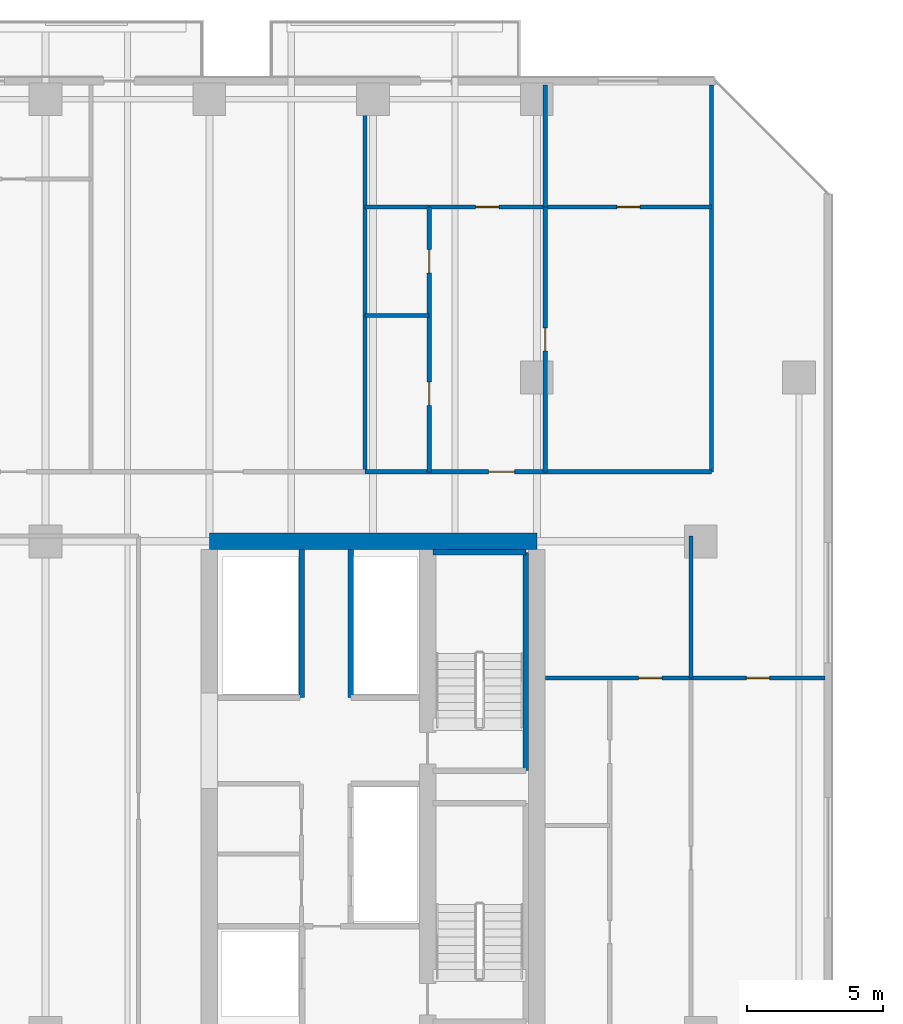
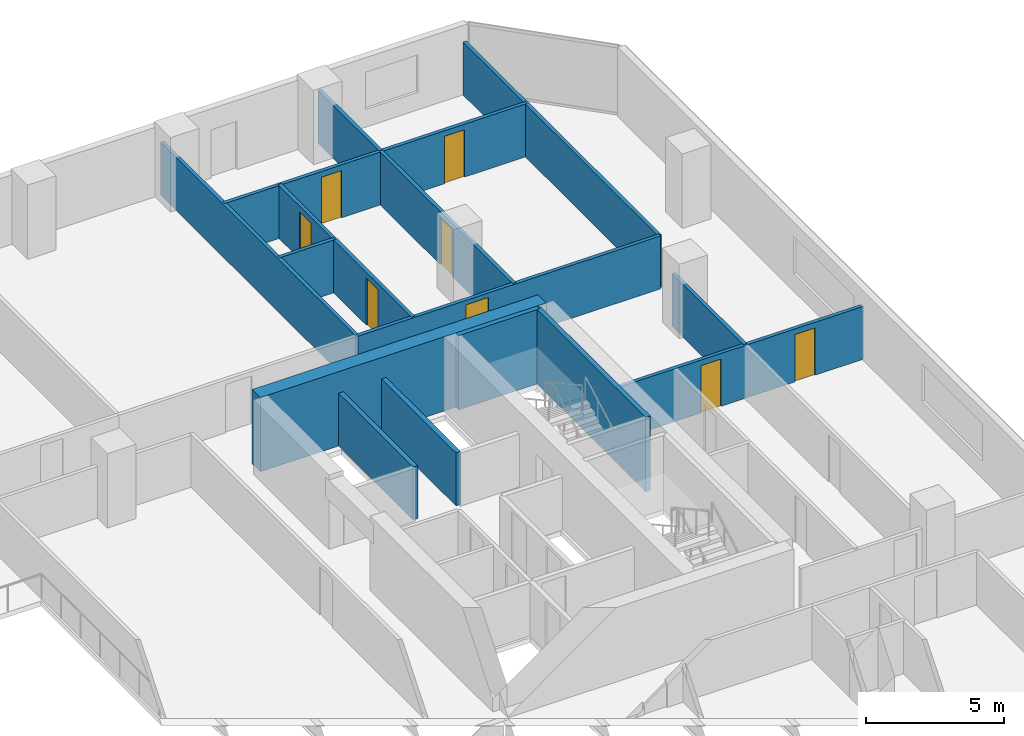
# One storey, part 23 of 33: 15 walls, 8 doors, 8 openings.
"""IFC4 building model written with IfcOpenShell, lengths in metres."""

from ifc_helpers import new_model, si_unit, direction, frame, frame_2d, origin, place, context, subcontext, project, spatial, rectangle, extrude, material, layer, layer_set, type_object, element, fill, save


model = new_model("IFC4")

# Units and contexts
model_context = context("Model", 3, precision=1e-05, world=origin(), true_north=direction((0.0, 1.0)))
body_context = subcontext(model_context, "Body", "Model", "MODEL_VIEW")
ifc_project = project(units=[si_unit("LENGTHUNIT", "METRE"), si_unit("AREAUNIT", "SQUARE_METRE"), si_unit("VOLUMEUNIT", "CUBIC_METRE"), si_unit("PLANEANGLEUNIT", "RADIAN"), si_unit("MASSUNIT", "GRAM", prefix="KILO")], contexts=[model_context])

# Site, building, storey
site_placement = place(None, origin())
site = spatial("IfcSite", under=ifc_project, at=site_placement, CompositionType="ELEMENT")
building_placement = place(site_placement, origin())
building = spatial("IfcBuilding", under=site, at=building_placement, Name="Tanjung Sevakor Pilgrim Tower", CompositionType="ELEMENT")
storey_placement = place(building_placement, frame((0.0, 0.0, 38.93994140625)))
storey = spatial("IfcBuildingStorey", under=building, at=storey_placement, Name="L10", CompositionType="ELEMENT", Elevation=38.93994140625)

# Walls
ifc_material_1 = material(Name="Concrete C60/75", Category="concrete")
ifc_layer_1 = layer(ifc_material_1, 0.60009765625)
ifc_layer_set_1 = layer_set([ifc_layer_1], Name="WALL-CW-600")
wall_type_1 = type_object("IfcWallType", Name="WALL-CW-600", PredefinedType="SHEAR", material=ifc_layer_set_1)
wall_1_placement = place(storey_placement, frame((90.0, 42.60009765625, 0.0), z_axis=(0.0, 0.0, 1.0), x_axis=(-1.0, 0.0, 0.0)))
element("IfcWall", 1, at=wall_1_placement, inside=storey, type_object=wall_type_1, Name="L10 E Core North Shear Wall", PredefinedType="SHEAR", context=body_context, shape_type="SweptSolid", body=[
    extrude(rectangle(XDim=12.0, YDim=0.60009765625, at=frame_2d((6.0, 0.0))), origin(), (0.0, 0.0, 1.0), 3.300048828125),
])
ifc_material_2 = material(Name="Concrete C40/50", Category="concrete")
ifc_layer_2 = layer(ifc_material_2, 0.14990234375)
ifc_layer_set_2 = layer_set([ifc_layer_2], Name="WT-COMP-150")
wall_type_2 = type_object("IfcWallType", Name="WT-COMP-150", PredefinedType="SOLIDWALL", material=ifc_layer_set_2)
for number, where, z_axis, x_axis, name in (
    (2, (96.39990234375, 45.14990234375, 0.0), (0.0, 0.0, 1.0), (0.0, 1.0, 0.0), "L10 Partition IW-L10-091"),
    (3, (83.706298828125, 45.14990234375, 0.0), (0.0, 0.0, 1.0), (0.0, 1.0, 0.0), "L10 Partition IW-L10-104"),
):
    element("IfcWall", number, at=place(storey_placement, frame(where, z_axis=z_axis, x_axis=x_axis)), inside=storey, type_object=wall_type_2, Name=name, PredefinedType="SOLIDWALL", context=body_context, shape_type="SweptSolid", body=[
        extrude(rectangle(XDim=14.170166015625, YDim=0.14990234375, at=frame_2d((7.0849609375, 0.0))), origin(), (0.0, 0.0, 1.0), 2.35009765625),
    ])

# Wall, opening, door
wall_2_placement = place(storey_placement, frame((83.706298828125, 45.14990234375, 0.0), z_axis=(0.0, 0.0, 1.0), x_axis=(1.0, 0.0, 0.0)))
wall_2 = element("IfcWall", 4, at=wall_2_placement, inside=storey, type_object=wall_type_2, Name="L10 Partition IW-L10-111", PredefinedType="SOLIDWALL", context=body_context, shape_type="SweptSolid", body=[
    extrude(rectangle(XDim=12.693603515625, YDim=0.14990234375, at=frame_2d((6.3466796875, 0.0))), origin(), (0.0, 0.0, 1.0), 2.35009765625),
])
opening_1_placement = place(wall_2_placement, frame((4.52587890625, 0.0, 0.0)))
opening_1 = element("IfcOpeningElement", 5, at=opening_1_placement, cuts=wall_2, Name="Opening ID-FD2", PredefinedType="OPENING", context=body_context, shape_type="SweptSolid", body=[
    extrude(rectangle(XDim=0.949951171875, YDim=2.14990234375, at=frame_2d((0.47509765625, 1.074951171875))), frame((0.0, 0.0849609375, 0.0), z_axis=(0.0, -1.0, 0.0), x_axis=(1.0, 0.0, 0.0)), (0.0, 0.0, 1.0), 0.169921875),
])
ifc_material_3 = material(Name="Fire-Rated Timber", Category="wood")
door_type_1 = type_object("IfcDoorType", Name="DT-FIRE-950", OperationType="NOTDEFINED", PredefinedType="DOOR", material=ifc_material_3)
door_1_placement = place(opening_1_placement, origin())
door_1 = element("IfcDoor", 6, at=door_1_placement, inside=storey, type_object=door_type_1, Name="Suite Entrance", OperationType="SINGLE_SWING_LEFT", OverallHeight=2.14990234375, OverallWidth=0.949951171875, PredefinedType="DOOR", context=body_context, shape_type="SweptSolid", body=[
    extrude(rectangle(XDim=0.949951171875, YDim=2.14990234375, at=frame_2d((0.47509765625, 1.074951171875))), frame((0.0, 0.02490234375, 0.0), z_axis=(0.0, -1.0, 0.0), x_axis=(1.0, 0.0, 0.0)), (0.0, 0.0, 1.0), 0.050048828125),
])
fill(opening_1, door_1)

# Walls
ifc_material_4 = material(Name="Concrete C40/50", Category="concrete")
ifc_layer_3 = layer(ifc_material_4, 0.199951171875)
ifc_layer_set_3 = layer_set([ifc_layer_3], Name="WT-FIRE-200")
wall_type_3 = type_object("IfcWallType", Name="WT-FIRE-200", PredefinedType="SOLIDWALL", material=ifc_layer_set_3)
wall_3_placement = place(storey_placement, frame((89.60009765625, 34.199951171875, 0.0), z_axis=(0.0, 0.0, 1.0), x_axis=(0.0, 1.0, 0.0)))
element("IfcWall", 7, at=wall_3_placement, inside=storey, type_object=wall_type_3, Name="L10 TS-E2 Shaft Wall 2", PredefinedType="SOLIDWALL", context=body_context, shape_type="SweptSolid", body=[
    extrude(rectangle(XDim=8.0, YDim=0.199951171875, at=frame_2d((4.0, 0.0))), origin(), (0.0, 0.0, 1.0), 3.300048828125),
])
wall_4_placement = place(storey_placement, frame((89.60009765625, 42.199951171875, 0.0), z_axis=(0.0, 0.0, 1.0), x_axis=(-1.0, 0.0, 0.0)))
element("IfcWall", 8, at=wall_4_placement, inside=storey, type_object=wall_type_3, Name="L10 TS-E2 Shaft Wall 3", PredefinedType="SOLIDWALL", context=body_context, shape_type="SweptSolid", body=[
    extrude(rectangle(XDim=3.400146484375, YDim=0.199951171875, at=frame_2d((1.7001953125, 0.0))), origin(), (0.0, 0.0, 1.0), 3.300048828125),
])
ifc_material_5 = material(Name="Concrete C40/50", Category="concrete")
ifc_layer_4 = layer(ifc_material_5, 0.199951171875)
ifc_layer_set_4 = layer_set([ifc_layer_4], Name="WT-FPRT-200")
wall_type_4 = type_object("IfcWallType", Name="WT-FPRT-200", PredefinedType="SOLIDWALL", material=ifc_layer_set_4)
for number, where, z_axis, x_axis, name in (
    (9, (83.179931640625, 36.8798828125, 0.0), (0.0, 0.0, 1.0), (0.0, 1.0, 0.0), "L10 Partition IW-L10-020"),
    (10, (81.3798828125, 36.8798828125, 0.0), (0.0, 0.0, 1.0), (0.0, 1.0, 0.0), "L10 Partition IW-L10-022"),
):
    element("IfcWall", number, at=place(storey_placement, frame(where, z_axis=z_axis, x_axis=x_axis)), inside=storey, type_object=wall_type_4, Name=name, PredefinedType="SOLIDWALL", context=body_context, shape_type="SweptSolid", body=[
        extrude(rectangle(XDim=5.420166015625, YDim=0.199951171875, at=frame_2d((2.7099609375, 0.0))), origin(), (0.0, 0.0, 1.0), 2.35009765625),
    ])
ifc_material_6 = material(Name="Gypsum Board Partition", Category="gypsum board")
ifc_layer_5 = layer(ifc_material_6, 0.14990234375)
ifc_layer_set_5 = layer_set([ifc_layer_5], Name="WT-PART-150")
wall_type_5 = type_object("IfcWallType", Name="WT-PART-150", PredefinedType="PARTITIONING", material=ifc_layer_set_5)
wall_5_placement = place(storey_placement, frame((95.644775390625, 37.60009765625, 0.0), z_axis=(0.0, 0.0, 1.0), x_axis=(0.0, 1.0, 0.0)))
element("IfcWall", 11, at=wall_5_placement, inside=storey, type_object=wall_type_5, Name="L10 Partition IW-L10-035", PredefinedType="PARTITIONING", context=body_context, shape_type="SweptSolid", body=[
    extrude(rectangle(XDim=5.199951171875, YDim=0.14990234375, at=frame_2d((2.60009765625, 0.0))), origin(), (0.0, 0.0, 1.0), 2.35009765625),
])

# Wall, openings, doors
wall_6_placement = place(storey_placement, frame((90.320068359375, 37.60009765625, 0.0), z_axis=(0.0, 0.0, 1.0), x_axis=(1.0, 0.0, 0.0)))
wall_6 = element("IfcWall", 12, at=wall_6_placement, inside=storey, type_object=wall_type_5, Name="L10 Partition IW-L10-036", PredefinedType="PARTITIONING", context=body_context, shape_type="SweptSolid", body=[
    extrude(rectangle(XDim=10.239990234375, YDim=0.14990234375, at=frame_2d((5.1201171875, 0.0))), origin(), (0.0, 0.0, 1.0), 2.35009765625),
])
opening_2_placement = place(wall_6_placement, frame((3.412353515625, 0.0, 0.0)))
opening_2 = element("IfcOpeningElement", 13, at=opening_2_placement, cuts=wall_6, Name="Opening ID-WC1", PredefinedType="OPENING", context=body_context, shape_type="SweptSolid", body=[
    extrude(rectangle(XDim=0.85009765625, YDim=2.10009765625, at=frame_2d((0.425048828125, 1.050048828125))), frame((0.0, 0.0849609375, 0.0), z_axis=(0.0, -1.0, 0.0), x_axis=(1.0, 0.0, 0.0)), (0.0, 0.0, 1.0), 0.169921875),
])
opening_3_placement = place(wall_6_placement, frame((7.357421875, 0.0, 0.0)))
opening_3 = element("IfcOpeningElement", 14, at=opening_3_placement, cuts=wall_6, Name="Opening ID-WC1", PredefinedType="OPENING", context=body_context, shape_type="SweptSolid", body=[
    extrude(rectangle(XDim=0.85009765625, YDim=2.10009765625, at=frame_2d((0.425048828125, 1.050048828125))), frame((0.0, 0.0849609375, 0.0), z_axis=(0.0, -1.0, 0.0), x_axis=(1.0, 0.0, 0.0)), (0.0, 0.0, 1.0), 0.169921875),
])
ifc_material_7 = material(Name="Moisture-Resistant Timber", Category="wood")
door_type_2 = type_object("IfcDoorType", Name="DT-INT-850", OperationType="NOTDEFINED", PredefinedType="DOOR", material=ifc_material_7)
door_2_placement = place(opening_2_placement, origin())
door_2 = element("IfcDoor", 15, at=door_2_placement, inside=storey, type_object=door_type_2, Name="Suite Bedroom 1 Door", OperationType="SINGLE_SWING_LEFT", OverallHeight=2.10009765625, OverallWidth=0.85009765625, PredefinedType="DOOR", context=body_context, shape_type="SweptSolid", body=[
    extrude(rectangle(XDim=0.85009765625, YDim=2.10009765625, at=frame_2d((0.425048828125, 1.050048828125))), frame((0.0, 0.02490234375, 0.0), z_axis=(0.0, -1.0, 0.0), x_axis=(1.0, 0.0, 0.0)), (0.0, 0.0, 1.0), 0.050048828125),
])
fill(opening_2, door_2)
door_3_placement = place(opening_3_placement, origin())
door_3 = element("IfcDoor", 16, at=door_3_placement, inside=storey, type_object=door_type_2, Name="Suite Bedroom 2 Door", OperationType="SINGLE_SWING_RIGHT", OverallHeight=2.10009765625, OverallWidth=0.85009765625, PredefinedType="DOOR", context=body_context, shape_type="SweptSolid", body=[
    extrude(rectangle(XDim=0.85009765625, YDim=2.10009765625, at=frame_2d((0.425048828125, 1.050048828125))), frame((0.0, 0.02490234375, 0.0), z_axis=(0.0, -1.0, 0.0), x_axis=(1.0, 0.0, 0.0)), (0.0, 0.0, 1.0), 0.050048828125),
])
fill(opening_3, door_3)

# Wall, opening, door
wall_7_placement = place(storey_placement, frame((90.30712890625, 45.14990234375, 0.0), z_axis=(0.0, 0.0, 1.0), x_axis=(0.0, 1.0, 0.0)))
wall_7 = element("IfcWall", 17, at=wall_7_placement, inside=storey, type_object=wall_type_5, Name="L10 Partition IW-L10-106", PredefinedType="PARTITIONING", context=body_context, shape_type="SweptSolid", body=[
    extrude(rectangle(XDim=9.700927734375, YDim=0.14990234375, at=frame_2d((4.8505859375, 0.0))), origin(), (0.0, 0.0, 1.0), 2.35009765625),
])
opening_4_placement = place(wall_7_placement, frame((4.42529296875, 0.0, 0.0)))
opening_4 = element("IfcOpeningElement", 18, at=opening_4_placement, cuts=wall_7, Name="Opening ID-WC1", PredefinedType="OPENING", context=body_context, shape_type="SweptSolid", body=[
    extrude(rectangle(XDim=0.85009765625, YDim=2.10009765625, at=frame_2d((0.425048828125, 1.050048828125))), frame((0.0, 0.0849609375, 0.0), z_axis=(0.0, -1.0, 0.0), x_axis=(1.0, 0.0, 0.0)), (0.0, 0.0, 1.0), 0.169921875),
])
door_4_placement = place(opening_4_placement, origin())
door_4 = element("IfcDoor", 19, at=door_4_placement, inside=storey, type_object=door_type_2, Name="Suite Study Room Door", OperationType="SINGLE_SWING_RIGHT", OverallHeight=2.10009765625, OverallWidth=0.85009765625, PredefinedType="DOOR", context=body_context, shape_type="SweptSolid", body=[
    extrude(rectangle(XDim=0.85009765625, YDim=2.10009765625, at=frame_2d((0.425048828125, 1.050048828125))), frame((0.0, 0.02490234375, 0.0), z_axis=(0.0, -1.0, 0.0), x_axis=(1.0, 0.0, 0.0)), (0.0, 0.0, 1.0), 0.050048828125),
])
fill(opening_4, door_4)

# Wall
wall_8_placement = place(storey_placement, frame((83.706298828125, 50.87353515625, 0.0), z_axis=(0.0, 0.0, 1.0), x_axis=(1.0, 0.0, 0.0)))
element("IfcWall", 20, at=wall_8_placement, inside=storey, type_object=wall_type_5, Name="L10 Partition IW-L10-107", PredefinedType="PARTITIONING", context=body_context, shape_type="SweptSolid", body=[
    extrude(rectangle(XDim=2.35009765625, YDim=0.14990234375, at=frame_2d((1.175048828125, 0.0))), origin(), (0.0, 0.0, 1.0), 2.35009765625),
])

# Wall, openings, doors
wall_9_placement = place(storey_placement, frame((86.056396484375, 45.14990234375, 0.0), z_axis=(0.0, 0.0, 1.0), x_axis=(0.0, 1.0, 0.0)))
wall_9 = element("IfcWall", 21, at=wall_9_placement, inside=storey, type_object=wall_type_5, Name="L10 Partition IW-L10-108", PredefinedType="PARTITIONING", context=body_context, shape_type="SweptSolid", body=[
    extrude(rectangle(XDim=9.700927734375, YDim=0.14990234375, at=frame_2d((4.8505859375, 0.0))), origin(), (0.0, 0.0, 1.0), 2.35009765625),
])
opening_5_placement = place(wall_9_placement, frame((2.436767578125, 0.0, 0.0)))
opening_5 = element("IfcOpeningElement", 22, at=opening_5_placement, cuts=wall_9, Name="Opening ID-WC1", PredefinedType="OPENING", context=body_context, shape_type="SweptSolid", body=[
    extrude(rectangle(XDim=0.85009765625, YDim=2.10009765625, at=frame_2d((0.425048828125, 1.050048828125))), frame((0.0, 0.0849609375, 0.0), z_axis=(0.0, -1.0, 0.0), x_axis=(1.0, 0.0, 0.0)), (0.0, 0.0, 1.0), 0.169921875),
])
opening_6_placement = place(wall_9_placement, frame((7.287109375, 0.0, 0.0)))
opening_6 = element("IfcOpeningElement", 23, at=opening_6_placement, cuts=wall_9, Name="Opening ID-WC1", PredefinedType="OPENING", context=body_context, shape_type="SweptSolid", body=[
    extrude(rectangle(XDim=0.85009765625, YDim=2.10009765625, at=frame_2d((0.425048828125, 1.050048828125))), frame((0.0, 0.0849609375, 0.0), z_axis=(0.0, -1.0, 0.0), x_axis=(1.0, 0.0, 0.0)), (0.0, 0.0, 1.0), 0.169921875),
])
door_5_placement = place(opening_5_placement, origin())
door_5 = element("IfcDoor", 24, at=door_5_placement, inside=storey, type_object=door_type_2, Name="Suite Kitchenette Door", OperationType="SINGLE_SWING_LEFT", OverallHeight=2.10009765625, OverallWidth=0.85009765625, PredefinedType="DOOR", context=body_context, shape_type="SweptSolid", body=[
    extrude(rectangle(XDim=0.85009765625, YDim=2.10009765625, at=frame_2d((0.425048828125, 1.050048828125))), frame((0.0, 0.02490234375, 0.0), z_axis=(0.0, -1.0, 0.0), x_axis=(1.0, 0.0, 0.0)), (0.0, 0.0, 1.0), 0.050048828125),
])
fill(opening_5, door_5)
door_6_placement = place(opening_6_placement, origin())
door_6 = element("IfcDoor", 25, at=door_6_placement, inside=storey, type_object=door_type_2, Name="Suite Bathroom Door", OperationType="SINGLE_SWING_RIGHT", OverallHeight=2.10009765625, OverallWidth=0.85009765625, PredefinedType="DOOR", context=body_context, shape_type="SweptSolid", body=[
    extrude(rectangle(XDim=0.85009765625, YDim=2.10009765625, at=frame_2d((0.425048828125, 1.050048828125))), frame((0.0, 0.02490234375, 0.0), z_axis=(0.0, -1.0, 0.0), x_axis=(1.0, 0.0, 0.0)), (0.0, 0.0, 1.0), 0.050048828125),
])
fill(opening_6, door_6)

# Wall
wall_10_placement = place(storey_placement, frame((90.30712890625, 54.850830078125, 0.0), z_axis=(0.0, 0.0, 1.0), x_axis=(0.0, 1.0, 0.0)))
element("IfcWall", 26, at=wall_10_placement, inside=storey, type_object=wall_type_5, Name="L10 Partition IW-L10-109", PredefinedType="PARTITIONING", context=body_context, shape_type="SweptSolid", body=[
    extrude(rectangle(XDim=4.46923828125, YDim=0.14990234375, at=frame_2d((2.234619140625, 0.0))), origin(), (0.0, 0.0, 1.0), 2.35009765625),
])

# Wall, openings, doors
wall_11_placement = place(storey_placement, frame((83.706298828125, 54.850830078125, 0.0), z_axis=(0.0, 0.0, 1.0), x_axis=(1.0, 0.0, 0.0)))
wall_11 = element("IfcWall", 27, at=wall_11_placement, inside=storey, type_object=wall_type_5, Name="L10 Partition IW-L10-110", PredefinedType="PARTITIONING", context=body_context, shape_type="SweptSolid", body=[
    extrude(rectangle(XDim=12.693603515625, YDim=0.14990234375, at=frame_2d((6.3466796875, 0.0))), origin(), (0.0, 0.0, 1.0), 2.35009765625),
])
opening_7_placement = place(wall_11_placement, frame((4.05029296875, 0.0, 0.0)))
opening_7 = element("IfcOpeningElement", 28, at=opening_7_placement, cuts=wall_11, Name="Opening ID-WC1", PredefinedType="OPENING", context=body_context, shape_type="SweptSolid", body=[
    extrude(rectangle(XDim=0.85009765625, YDim=2.10009765625, at=frame_2d((0.425048828125, 1.050048828125))), frame((0.0, 0.0849609375, 0.0), z_axis=(0.0, -1.0, 0.0), x_axis=(1.0, 0.0, 0.0)), (0.0, 0.0, 1.0), 0.169921875),
])
opening_8_placement = place(wall_11_placement, frame((9.22216796875, 0.0, 0.0)))
opening_8 = element("IfcOpeningElement", 29, at=opening_8_placement, cuts=wall_11, Name="Opening ID-WC1", PredefinedType="OPENING", context=body_context, shape_type="SweptSolid", body=[
    extrude(rectangle(XDim=0.85009765625, YDim=2.10009765625, at=frame_2d((0.425048828125, 1.050048828125))), frame((0.0, 0.0849609375, 0.0), z_axis=(0.0, -1.0, 0.0), x_axis=(1.0, 0.0, 0.0)), (0.0, 0.0, 1.0), 0.169921875),
])
door_7_placement = place(opening_7_placement, origin())
door_7 = element("IfcDoor", 30, at=door_7_placement, inside=storey, type_object=door_type_2, Name="Suite Bedroom 1 Door", OperationType="SINGLE_SWING_LEFT", OverallHeight=2.10009765625, OverallWidth=0.85009765625, PredefinedType="DOOR", context=body_context, shape_type="SweptSolid", body=[
    extrude(rectangle(XDim=0.85009765625, YDim=2.10009765625, at=frame_2d((0.425048828125, 1.050048828125))), frame((0.0, 0.02490234375, 0.0), z_axis=(0.0, -1.0, 0.0), x_axis=(1.0, 0.0, 0.0)), (0.0, 0.0, 1.0), 0.050048828125),
])
fill(opening_7, door_7)
door_8_placement = place(opening_8_placement, origin())
door_8 = element("IfcDoor", 31, at=door_8_placement, inside=storey, type_object=door_type_2, Name="Suite Bedroom 2 Door", OperationType="SINGLE_SWING_RIGHT", OverallHeight=2.10009765625, OverallWidth=0.85009765625, PredefinedType="DOOR", context=body_context, shape_type="SweptSolid", body=[
    extrude(rectangle(XDim=0.85009765625, YDim=2.10009765625, at=frame_2d((0.425048828125, 1.050048828125))), frame((0.0, 0.02490234375, 0.0), z_axis=(0.0, -1.0, 0.0), x_axis=(1.0, 0.0, 0.0)), (0.0, 0.0, 1.0), 0.050048828125),
])
fill(opening_8, door_8)

save(model, "model.ifc")
